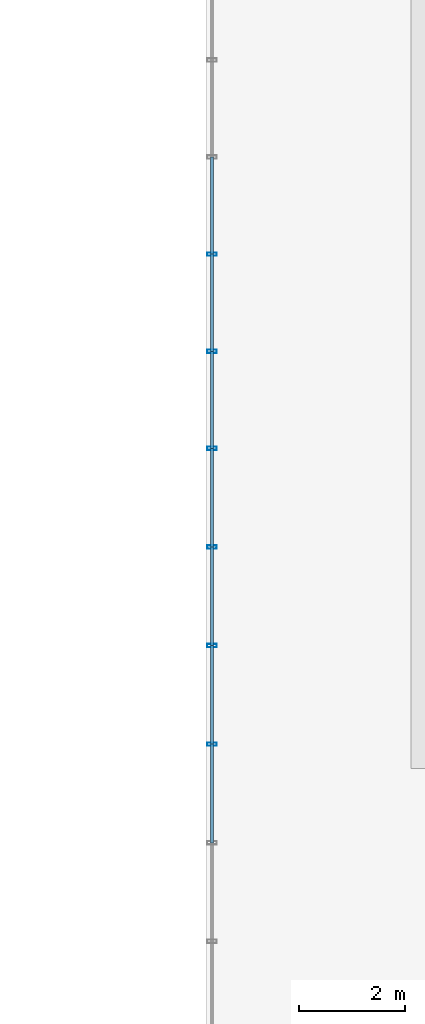
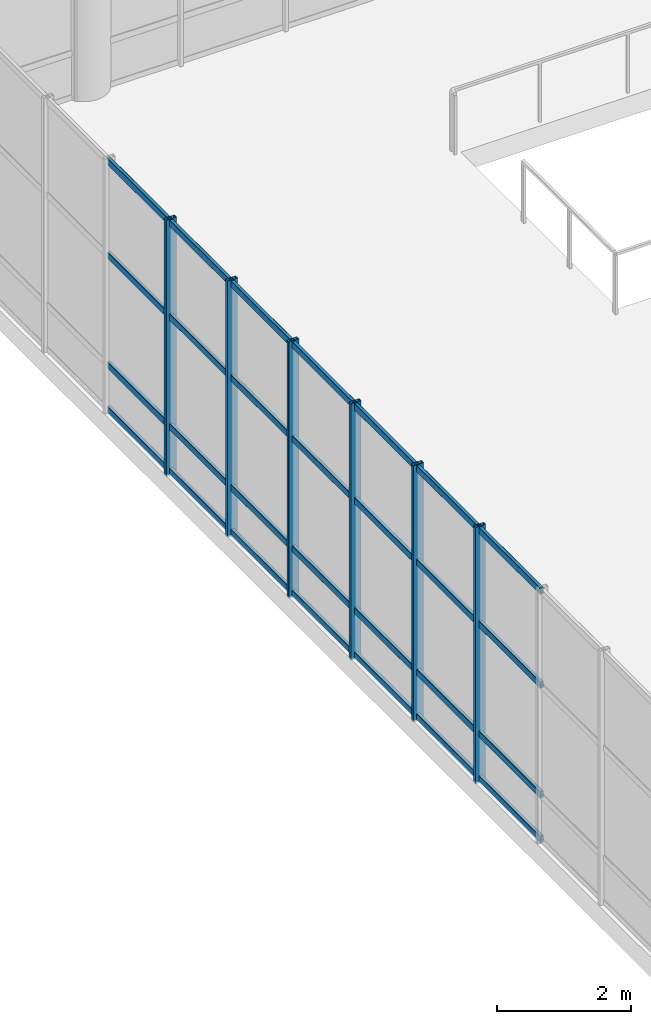
# One storey, part 102 of 176: 34 members, 2 elements without a shape of their own.
"""IFC4 building model written with IfcOpenShell, lengths in metres."""

from ifc_helpers import new_model, si_unit, direction, frame, origin, origin_2d, place, context, subcontext, project, spatial, hollow_rectangle, extrude, material, layer, layer_set, material_profile, profile_set, type_object, element, aggregate, save


model = new_model("IFC4")

# Units and contexts
model_context = context("Model", 3, precision=1e-05, world=origin(), true_north=direction((0.0, 1.0)))
body_context = subcontext(model_context, "Body", "Model", "MODEL_VIEW")
ifc_project = project(units=[si_unit("LENGTHUNIT", "METRE"), si_unit("AREAUNIT", "SQUARE_METRE"), si_unit("VOLUMEUNIT", "CUBIC_METRE"), si_unit("PLANEANGLEUNIT", "RADIAN"), si_unit("MASSUNIT", "GRAM", prefix="KILO")], contexts=[model_context])

# Site, building, storey
site_placement = place(None, origin())
site = spatial("IfcSite", under=ifc_project, at=site_placement, CompositionType="ELEMENT")
building_placement = place(site_placement, origin())
building = spatial("IfcBuilding", under=site, at=building_placement, Name="Khorjan Park Terminus", CompositionType="ELEMENT")
storey_placement = place(building_placement, frame((0.0, 0.0, 6.0)))
storey = spatial("IfcBuildingStorey", under=building, at=storey_placement, Name="L01", CompositionType="ELEMENT", Elevation=6.0)

# Curtain wall, members
ifc_material = material(Name="Anodized Bronze Aluminium", Category="aluminium")
ifc_layer = layer(ifc_material, 0.22)
ifc_layer_set = layer_set([ifc_layer], Name="Anodized Bronze Aluminium")
curtain_wall_type = type_object("IfcCurtainWallType", Name="CW-BRG-D", PredefinedType="NOTDEFINED", material=ifc_layer_set)
curtain_wall_1_placement = place(storey_placement, origin())
curtain_wall_1 = element("IfcCurtainWall", 1, at=curtain_wall_1_placement, inside=storey, type_object=curtain_wall_type, Name="Unitized curtain wall CW-D (CW-BRW-W-3)", PredefinedType="NOTDEFINED")
ifc_material_profile_1 = material_profile(ifc_material, hollow_rectangle(XDim=0.065, YDim=0.18, WallThickness=0.004, InnerFilletRadius=0.004, OuterFilletRadius=0.008, at=origin_2d()), Name="ALM 65x180x4")
ifc_profile_set_1 = profile_set([ifc_material_profile_1], Name="Anodized Bronze Aluminium")
member_type_1 = type_object("IfcMemberType", Name="ML-ALM-180", PredefinedType="MULLION", material=ifc_profile_set_1)
member_1_placement = place(storey_placement, frame((52.1, 141.0, -0.035), z_axis=(0.0, 0.0, 1.0), x_axis=(0.0, -1.0, 0.0)))
member_1 = element("IfcMember", 2, at=member_1_placement, type_object=member_type_1, Name="Curtain-wall mullion ML-18 (CW-BRW-W-3-0)", PredefinedType="MULLION", context=body_context, shape_type="SweptSolid", body=[
    extrude(hollow_rectangle(XDim=0.065, YDim=0.18, WallThickness=0.004, InnerFilletRadius=0.004, OuterFilletRadius=0.008, at=origin_2d()), origin(), (0.0, 0.0, 1.0), 4.67),
])
member_2_placement = place(storey_placement, frame((52.1, 139.1429, -0.035), z_axis=(0.0, 0.0, 1.0), x_axis=(0.0, -1.0, 0.0)))
member_2 = element("IfcMember", 3, at=member_2_placement, type_object=member_type_1, Name="Curtain-wall mullion ML-18 (CW-BRW-W-3-1)", PredefinedType="MULLION", context=body_context, shape_type="SweptSolid", body=[
    extrude(hollow_rectangle(XDim=0.065, YDim=0.18, WallThickness=0.004, InnerFilletRadius=0.004, OuterFilletRadius=0.008, at=origin_2d()), origin(), (0.0, 0.0, 1.0), 4.67),
])
member_3_placement = place(storey_placement, frame((52.1, 137.2857, -0.035), z_axis=(0.0, 0.0, 1.0), x_axis=(0.0, -1.0, 0.0)))
member_3 = element("IfcMember", 4, at=member_3_placement, type_object=member_type_1, Name="Curtain-wall mullion ML-18 (CW-BRW-W-3-2)", PredefinedType="MULLION", context=body_context, shape_type="SweptSolid", body=[
    extrude(hollow_rectangle(XDim=0.065, YDim=0.18, WallThickness=0.004, InnerFilletRadius=0.004, OuterFilletRadius=0.008, at=origin_2d()), origin(), (0.0, 0.0, 1.0), 4.67),
])
member_4_placement = place(storey_placement, frame((52.1, 135.4286, -0.035), z_axis=(0.0, 0.0, 1.0), x_axis=(0.0, -1.0, 0.0)))
member_4 = element("IfcMember", 5, at=member_4_placement, type_object=member_type_1, Name="Curtain-wall mullion ML-18 (CW-BRW-W-3-3)", PredefinedType="MULLION", context=body_context, shape_type="SweptSolid", body=[
    extrude(hollow_rectangle(XDim=0.065, YDim=0.18, WallThickness=0.004, InnerFilletRadius=0.004, OuterFilletRadius=0.008, at=origin_2d()), origin(), (0.0, 0.0, 1.0), 4.67),
])

curtain_wall_2_placement = place(storey_placement, origin())
curtain_wall_2 = element("IfcCurtainWall", 6, at=curtain_wall_2_placement, inside=storey, type_object=curtain_wall_type, Name="Unitized curtain wall CW-D (CW-BRW-W-4)", PredefinedType="NOTDEFINED")
member_5_placement = place(storey_placement, frame((52.1, 144.6571, -0.035), z_axis=(0.0, 0.0, 1.0), x_axis=(0.0, -1.0, 0.0)))
member_5 = element("IfcMember", 7, at=member_5_placement, type_object=member_type_1, Name="Curtain-wall mullion ML-18 (CW-BRW-W-4-5)", PredefinedType="MULLION", context=body_context, shape_type="SweptSolid", body=[
    extrude(hollow_rectangle(XDim=0.065, YDim=0.18, WallThickness=0.004, InnerFilletRadius=0.004, OuterFilletRadius=0.008, at=origin_2d()), origin(), (0.0, 0.0, 1.0), 4.67),
])
member_6_placement = place(storey_placement, frame((52.1, 142.8286, -0.035), z_axis=(0.0, 0.0, 1.0), x_axis=(0.0, -1.0, 0.0)))
member_6 = element("IfcMember", 8, at=member_6_placement, type_object=member_type_1, Name="Curtain-wall mullion ML-18 (CW-BRW-W-4-6)", PredefinedType="MULLION", context=body_context, shape_type="SweptSolid", body=[
    extrude(hollow_rectangle(XDim=0.065, YDim=0.18, WallThickness=0.004, InnerFilletRadius=0.004, OuterFilletRadius=0.008, at=origin_2d()), origin(), (0.0, 0.0, 1.0), 4.67),
])

# Member
ifc_material_profile_2 = material_profile(ifc_material, hollow_rectangle(XDim=0.06, YDim=0.12, WallThickness=0.004, InnerFilletRadius=0.004, OuterFilletRadius=0.008, at=origin_2d()), Name="ALT 60x120x4")
ifc_profile_set_2 = profile_set([ifc_material_profile_2], Name="Anodized Bronze Aluminium")
member_type_2 = type_object("IfcMemberType", Name="TR-ALT-120", PredefinedType="USERDEFINED", material=ifc_profile_set_2)
member_7_placement = place(storey_placement, frame((52.1, 141.0, 0.04), z_axis=(0.0, -1.0, 0.0), x_axis=(1.0, 0.0, 0.0)))
member_7 = element("IfcMember", 9, at=member_7_placement, type_object=member_type_2, Name="Curtain-wall transom TR-12 (CW-BRW-W-3-0-1)", ObjectType="TRANSOM", PredefinedType="USERDEFINED", context=body_context, shape_type="SweptSolid", body=[
    extrude(hollow_rectangle(XDim=0.06, YDim=0.12, WallThickness=0.004, InnerFilletRadius=0.004, OuterFilletRadius=0.008, at=origin_2d()), origin(), (0.0, 0.0, 1.0), 1.8571),
])

member_8_placement = place(storey_placement, frame((52.1, 141.0, 0.85), z_axis=(0.0, -1.0, 0.0), x_axis=(1.0, 0.0, 0.0)))
member_8 = element("IfcMember", 10, at=member_8_placement, type_object=member_type_2, Name="Curtain-wall transom TR-12 (CW-BRW-W-3-0-2)", ObjectType="TRANSOM", PredefinedType="USERDEFINED", context=body_context, shape_type="SweptSolid", body=[
    extrude(hollow_rectangle(XDim=0.06, YDim=0.12, WallThickness=0.004, InnerFilletRadius=0.004, OuterFilletRadius=0.008, at=origin_2d()), origin(), (0.0, 0.0, 1.0), 1.8571),
])

member_9_placement = place(storey_placement, frame((52.1, 141.0, 2.852), z_axis=(0.0, -1.0, 0.0), x_axis=(1.0, 0.0, 0.0)))
member_9 = element("IfcMember", 11, at=member_9_placement, type_object=member_type_2, Name="Curtain-wall transom TR-12 (CW-BRW-W-3-0-3)", ObjectType="TRANSOM", PredefinedType="USERDEFINED", context=body_context, shape_type="SweptSolid", body=[
    extrude(hollow_rectangle(XDim=0.06, YDim=0.12, WallThickness=0.004, InnerFilletRadius=0.004, OuterFilletRadius=0.008, at=origin_2d()), origin(), (0.0, 0.0, 1.0), 1.8571),
])

member_10_placement = place(storey_placement, frame((52.1, 141.0, 4.56), z_axis=(0.0, -1.0, 0.0), x_axis=(1.0, 0.0, 0.0)))
member_10 = element("IfcMember", 12, at=member_10_placement, type_object=member_type_2, Name="Curtain-wall transom TR-12 (CW-BRW-W-3-0-4)", ObjectType="TRANSOM", PredefinedType="USERDEFINED", context=body_context, shape_type="SweptSolid", body=[
    extrude(hollow_rectangle(XDim=0.06, YDim=0.12, WallThickness=0.004, InnerFilletRadius=0.004, OuterFilletRadius=0.008, at=origin_2d()), origin(), (0.0, 0.0, 1.0), 1.8571),
])

member_11_placement = place(storey_placement, frame((52.1, 139.1429, 0.04), z_axis=(0.0, -1.0, 0.0), x_axis=(1.0, 0.0, 0.0)))
member_11 = element("IfcMember", 13, at=member_11_placement, type_object=member_type_2, Name="Curtain-wall transom TR-12 (CW-BRW-W-3-1-1)", ObjectType="TRANSOM", PredefinedType="USERDEFINED", context=body_context, shape_type="SweptSolid", body=[
    extrude(hollow_rectangle(XDim=0.06, YDim=0.12, WallThickness=0.004, InnerFilletRadius=0.004, OuterFilletRadius=0.008, at=origin_2d()), origin(), (0.0, 0.0, 1.0), 1.8572),
])

member_12_placement = place(storey_placement, frame((52.1, 139.1429, 0.85), z_axis=(0.0, -1.0, 0.0), x_axis=(1.0, 0.0, 0.0)))
member_12 = element("IfcMember", 14, at=member_12_placement, type_object=member_type_2, Name="Curtain-wall transom TR-12 (CW-BRW-W-3-1-2)", ObjectType="TRANSOM", PredefinedType="USERDEFINED", context=body_context, shape_type="SweptSolid", body=[
    extrude(hollow_rectangle(XDim=0.06, YDim=0.12, WallThickness=0.004, InnerFilletRadius=0.004, OuterFilletRadius=0.008, at=origin_2d()), origin(), (0.0, 0.0, 1.0), 1.8572),
])

member_13_placement = place(storey_placement, frame((52.1, 139.1429, 2.852), z_axis=(0.0, -1.0, 0.0), x_axis=(1.0, 0.0, 0.0)))
member_13 = element("IfcMember", 15, at=member_13_placement, type_object=member_type_2, Name="Curtain-wall transom TR-12 (CW-BRW-W-3-1-3)", ObjectType="TRANSOM", PredefinedType="USERDEFINED", context=body_context, shape_type="SweptSolid", body=[
    extrude(hollow_rectangle(XDim=0.06, YDim=0.12, WallThickness=0.004, InnerFilletRadius=0.004, OuterFilletRadius=0.008, at=origin_2d()), origin(), (0.0, 0.0, 1.0), 1.8572),
])

member_14_placement = place(storey_placement, frame((52.1, 139.1429, 4.56), z_axis=(0.0, -1.0, 0.0), x_axis=(1.0, 0.0, 0.0)))
member_14 = element("IfcMember", 16, at=member_14_placement, type_object=member_type_2, Name="Curtain-wall transom TR-12 (CW-BRW-W-3-1-4)", ObjectType="TRANSOM", PredefinedType="USERDEFINED", context=body_context, shape_type="SweptSolid", body=[
    extrude(hollow_rectangle(XDim=0.06, YDim=0.12, WallThickness=0.004, InnerFilletRadius=0.004, OuterFilletRadius=0.008, at=origin_2d()), origin(), (0.0, 0.0, 1.0), 1.8572),
])

member_15_placement = place(storey_placement, frame((52.1, 137.2857, 0.04), z_axis=(0.0, -1.0, 0.0), x_axis=(1.0, 0.0, 0.0)))
member_15 = element("IfcMember", 17, at=member_15_placement, type_object=member_type_2, Name="Curtain-wall transom TR-12 (CW-BRW-W-3-2-1)", ObjectType="TRANSOM", PredefinedType="USERDEFINED", context=body_context, shape_type="SweptSolid", body=[
    extrude(hollow_rectangle(XDim=0.06, YDim=0.12, WallThickness=0.004, InnerFilletRadius=0.004, OuterFilletRadius=0.008, at=origin_2d()), origin(), (0.0, 0.0, 1.0), 1.8571),
])

member_16_placement = place(storey_placement, frame((52.1, 137.2857, 0.85), z_axis=(0.0, -1.0, 0.0), x_axis=(1.0, 0.0, 0.0)))
member_16 = element("IfcMember", 18, at=member_16_placement, type_object=member_type_2, Name="Curtain-wall transom TR-12 (CW-BRW-W-3-2-2)", ObjectType="TRANSOM", PredefinedType="USERDEFINED", context=body_context, shape_type="SweptSolid", body=[
    extrude(hollow_rectangle(XDim=0.06, YDim=0.12, WallThickness=0.004, InnerFilletRadius=0.004, OuterFilletRadius=0.008, at=origin_2d()), origin(), (0.0, 0.0, 1.0), 1.8571),
])

member_17_placement = place(storey_placement, frame((52.1, 137.2857, 2.852), z_axis=(0.0, -1.0, 0.0), x_axis=(1.0, 0.0, 0.0)))
member_17 = element("IfcMember", 19, at=member_17_placement, type_object=member_type_2, Name="Curtain-wall transom TR-12 (CW-BRW-W-3-2-3)", ObjectType="TRANSOM", PredefinedType="USERDEFINED", context=body_context, shape_type="SweptSolid", body=[
    extrude(hollow_rectangle(XDim=0.06, YDim=0.12, WallThickness=0.004, InnerFilletRadius=0.004, OuterFilletRadius=0.008, at=origin_2d()), origin(), (0.0, 0.0, 1.0), 1.8571),
])

member_18_placement = place(storey_placement, frame((52.1, 137.2857, 4.56), z_axis=(0.0, -1.0, 0.0), x_axis=(1.0, 0.0, 0.0)))
member_18 = element("IfcMember", 20, at=member_18_placement, type_object=member_type_2, Name="Curtain-wall transom TR-12 (CW-BRW-W-3-2-4)", ObjectType="TRANSOM", PredefinedType="USERDEFINED", context=body_context, shape_type="SweptSolid", body=[
    extrude(hollow_rectangle(XDim=0.06, YDim=0.12, WallThickness=0.004, InnerFilletRadius=0.004, OuterFilletRadius=0.008, at=origin_2d()), origin(), (0.0, 0.0, 1.0), 1.8571),
])

member_19_placement = place(storey_placement, frame((52.1, 135.4286, 0.04), z_axis=(0.0, -1.0, 0.0), x_axis=(1.0, 0.0, 0.0)))
member_19 = element("IfcMember", 21, at=member_19_placement, type_object=member_type_2, Name="Curtain-wall transom TR-12 (CW-BRW-W-3-3-1)", ObjectType="TRANSOM", PredefinedType="USERDEFINED", context=body_context, shape_type="SweptSolid", body=[
    extrude(hollow_rectangle(XDim=0.06, YDim=0.12, WallThickness=0.004, InnerFilletRadius=0.004, OuterFilletRadius=0.008, at=origin_2d()), origin(), (0.0, 0.0, 1.0), 1.8572),
])

member_20_placement = place(storey_placement, frame((52.1, 135.4286, 0.85), z_axis=(0.0, -1.0, 0.0), x_axis=(1.0, 0.0, 0.0)))
member_20 = element("IfcMember", 22, at=member_20_placement, type_object=member_type_2, Name="Curtain-wall transom TR-12 (CW-BRW-W-3-3-2)", ObjectType="TRANSOM", PredefinedType="USERDEFINED", context=body_context, shape_type="SweptSolid", body=[
    extrude(hollow_rectangle(XDim=0.06, YDim=0.12, WallThickness=0.004, InnerFilletRadius=0.004, OuterFilletRadius=0.008, at=origin_2d()), origin(), (0.0, 0.0, 1.0), 1.8572),
])

member_21_placement = place(storey_placement, frame((52.1, 135.4286, 2.852), z_axis=(0.0, -1.0, 0.0), x_axis=(1.0, 0.0, 0.0)))
member_21 = element("IfcMember", 23, at=member_21_placement, type_object=member_type_2, Name="Curtain-wall transom TR-12 (CW-BRW-W-3-3-3)", ObjectType="TRANSOM", PredefinedType="USERDEFINED", context=body_context, shape_type="SweptSolid", body=[
    extrude(hollow_rectangle(XDim=0.06, YDim=0.12, WallThickness=0.004, InnerFilletRadius=0.004, OuterFilletRadius=0.008, at=origin_2d()), origin(), (0.0, 0.0, 1.0), 1.8572),
])

member_22_placement = place(storey_placement, frame((52.1, 135.4286, 4.56), z_axis=(0.0, -1.0, 0.0), x_axis=(1.0, 0.0, 0.0)))
member_22 = element("IfcMember", 24, at=member_22_placement, type_object=member_type_2, Name="Curtain-wall transom TR-12 (CW-BRW-W-3-3-4)", ObjectType="TRANSOM", PredefinedType="USERDEFINED", context=body_context, shape_type="SweptSolid", body=[
    extrude(hollow_rectangle(XDim=0.06, YDim=0.12, WallThickness=0.004, InnerFilletRadius=0.004, OuterFilletRadius=0.008, at=origin_2d()), origin(), (0.0, 0.0, 1.0), 1.8572),
])

aggregate(curtain_wall_1, [member_1, member_2, member_3, member_4, member_7, member_8, member_9, member_10, member_11, member_12, member_13, member_14, member_15, member_16, member_17, member_18, member_19, member_20, member_21, member_22])

member_23_placement = place(storey_placement, frame((52.1, 146.4857, 0.04), z_axis=(0.0, -1.0, 0.0), x_axis=(1.0, 0.0, 0.0)))
member_23 = element("IfcMember", 25, at=member_23_placement, type_object=member_type_2, Name="Curtain-wall transom TR-12 (CW-BRW-W-4-4-1)", ObjectType="TRANSOM", PredefinedType="USERDEFINED", context=body_context, shape_type="SweptSolid", body=[
    extrude(hollow_rectangle(XDim=0.06, YDim=0.12, WallThickness=0.004, InnerFilletRadius=0.004, OuterFilletRadius=0.008, at=origin_2d()), origin(), (0.0, 0.0, 1.0), 1.8286),
])

member_24_placement = place(storey_placement, frame((52.1, 146.4857, 0.85), z_axis=(0.0, -1.0, 0.0), x_axis=(1.0, 0.0, 0.0)))
member_24 = element("IfcMember", 26, at=member_24_placement, type_object=member_type_2, Name="Curtain-wall transom TR-12 (CW-BRW-W-4-4-2)", ObjectType="TRANSOM", PredefinedType="USERDEFINED", context=body_context, shape_type="SweptSolid", body=[
    extrude(hollow_rectangle(XDim=0.06, YDim=0.12, WallThickness=0.004, InnerFilletRadius=0.004, OuterFilletRadius=0.008, at=origin_2d()), origin(), (0.0, 0.0, 1.0), 1.8286),
])

member_25_placement = place(storey_placement, frame((52.1, 146.4857, 2.852), z_axis=(0.0, -1.0, 0.0), x_axis=(1.0, 0.0, 0.0)))
member_25 = element("IfcMember", 27, at=member_25_placement, type_object=member_type_2, Name="Curtain-wall transom TR-12 (CW-BRW-W-4-4-3)", ObjectType="TRANSOM", PredefinedType="USERDEFINED", context=body_context, shape_type="SweptSolid", body=[
    extrude(hollow_rectangle(XDim=0.06, YDim=0.12, WallThickness=0.004, InnerFilletRadius=0.004, OuterFilletRadius=0.008, at=origin_2d()), origin(), (0.0, 0.0, 1.0), 1.8286),
])

member_26_placement = place(storey_placement, frame((52.1, 146.4857, 4.56), z_axis=(0.0, -1.0, 0.0), x_axis=(1.0, 0.0, 0.0)))
member_26 = element("IfcMember", 28, at=member_26_placement, type_object=member_type_2, Name="Curtain-wall transom TR-12 (CW-BRW-W-4-4-4)", ObjectType="TRANSOM", PredefinedType="USERDEFINED", context=body_context, shape_type="SweptSolid", body=[
    extrude(hollow_rectangle(XDim=0.06, YDim=0.12, WallThickness=0.004, InnerFilletRadius=0.004, OuterFilletRadius=0.008, at=origin_2d()), origin(), (0.0, 0.0, 1.0), 1.8286),
])

member_27_placement = place(storey_placement, frame((52.1, 144.6571, 0.04), z_axis=(0.0, -1.0, 0.0), x_axis=(1.0, 0.0, 0.0)))
member_27 = element("IfcMember", 29, at=member_27_placement, type_object=member_type_2, Name="Curtain-wall transom TR-12 (CW-BRW-W-4-5-1)", ObjectType="TRANSOM", PredefinedType="USERDEFINED", context=body_context, shape_type="SweptSolid", body=[
    extrude(hollow_rectangle(XDim=0.06, YDim=0.12, WallThickness=0.004, InnerFilletRadius=0.004, OuterFilletRadius=0.008, at=origin_2d()), origin(), (0.0, 0.0, 1.0), 1.8285),
])

member_28_placement = place(storey_placement, frame((52.1, 144.6571, 0.85), z_axis=(0.0, -1.0, 0.0), x_axis=(1.0, 0.0, 0.0)))
member_28 = element("IfcMember", 30, at=member_28_placement, type_object=member_type_2, Name="Curtain-wall transom TR-12 (CW-BRW-W-4-5-2)", ObjectType="TRANSOM", PredefinedType="USERDEFINED", context=body_context, shape_type="SweptSolid", body=[
    extrude(hollow_rectangle(XDim=0.06, YDim=0.12, WallThickness=0.004, InnerFilletRadius=0.004, OuterFilletRadius=0.008, at=origin_2d()), origin(), (0.0, 0.0, 1.0), 1.8285),
])

member_29_placement = place(storey_placement, frame((52.1, 144.6571, 2.852), z_axis=(0.0, -1.0, 0.0), x_axis=(1.0, 0.0, 0.0)))
member_29 = element("IfcMember", 31, at=member_29_placement, type_object=member_type_2, Name="Curtain-wall transom TR-12 (CW-BRW-W-4-5-3)", ObjectType="TRANSOM", PredefinedType="USERDEFINED", context=body_context, shape_type="SweptSolid", body=[
    extrude(hollow_rectangle(XDim=0.06, YDim=0.12, WallThickness=0.004, InnerFilletRadius=0.004, OuterFilletRadius=0.008, at=origin_2d()), origin(), (0.0, 0.0, 1.0), 1.8285),
])

member_30_placement = place(storey_placement, frame((52.1, 144.6571, 4.56), z_axis=(0.0, -1.0, 0.0), x_axis=(1.0, 0.0, 0.0)))
member_30 = element("IfcMember", 32, at=member_30_placement, type_object=member_type_2, Name="Curtain-wall transom TR-12 (CW-BRW-W-4-5-4)", ObjectType="TRANSOM", PredefinedType="USERDEFINED", context=body_context, shape_type="SweptSolid", body=[
    extrude(hollow_rectangle(XDim=0.06, YDim=0.12, WallThickness=0.004, InnerFilletRadius=0.004, OuterFilletRadius=0.008, at=origin_2d()), origin(), (0.0, 0.0, 1.0), 1.8285),
])

member_31_placement = place(storey_placement, frame((52.1, 142.8286, 0.04), z_axis=(0.0, -1.0, 0.0), x_axis=(1.0, 0.0, 0.0)))
member_31 = element("IfcMember", 33, at=member_31_placement, type_object=member_type_2, Name="Curtain-wall transom TR-12 (CW-BRW-W-4-6-1)", ObjectType="TRANSOM", PredefinedType="USERDEFINED", context=body_context, shape_type="SweptSolid", body=[
    extrude(hollow_rectangle(XDim=0.06, YDim=0.12, WallThickness=0.004, InnerFilletRadius=0.004, OuterFilletRadius=0.008, at=origin_2d()), origin(), (0.0, 0.0, 1.0), 1.8286),
])

member_32_placement = place(storey_placement, frame((52.1, 142.8286, 0.85), z_axis=(0.0, -1.0, 0.0), x_axis=(1.0, 0.0, 0.0)))
member_32 = element("IfcMember", 34, at=member_32_placement, type_object=member_type_2, Name="Curtain-wall transom TR-12 (CW-BRW-W-4-6-2)", ObjectType="TRANSOM", PredefinedType="USERDEFINED", context=body_context, shape_type="SweptSolid", body=[
    extrude(hollow_rectangle(XDim=0.06, YDim=0.12, WallThickness=0.004, InnerFilletRadius=0.004, OuterFilletRadius=0.008, at=origin_2d()), origin(), (0.0, 0.0, 1.0), 1.8286),
])

member_33_placement = place(storey_placement, frame((52.1, 142.8286, 2.852), z_axis=(0.0, -1.0, 0.0), x_axis=(1.0, 0.0, 0.0)))
member_33 = element("IfcMember", 35, at=member_33_placement, type_object=member_type_2, Name="Curtain-wall transom TR-12 (CW-BRW-W-4-6-3)", ObjectType="TRANSOM", PredefinedType="USERDEFINED", context=body_context, shape_type="SweptSolid", body=[
    extrude(hollow_rectangle(XDim=0.06, YDim=0.12, WallThickness=0.004, InnerFilletRadius=0.004, OuterFilletRadius=0.008, at=origin_2d()), origin(), (0.0, 0.0, 1.0), 1.8286),
])

member_34_placement = place(storey_placement, frame((52.1, 142.8286, 4.56), z_axis=(0.0, -1.0, 0.0), x_axis=(1.0, 0.0, 0.0)))
member_34 = element("IfcMember", 36, at=member_34_placement, type_object=member_type_2, Name="Curtain-wall transom TR-12 (CW-BRW-W-4-6-4)", ObjectType="TRANSOM", PredefinedType="USERDEFINED", context=body_context, shape_type="SweptSolid", body=[
    extrude(hollow_rectangle(XDim=0.06, YDim=0.12, WallThickness=0.004, InnerFilletRadius=0.004, OuterFilletRadius=0.008, at=origin_2d()), origin(), (0.0, 0.0, 1.0), 1.8286),
])

aggregate(curtain_wall_2, [member_5, member_6, member_23, member_24, member_25, member_26, member_27, member_28, member_29, member_30, member_31, member_32, member_33, member_34])

save(model, "model.ifc")
